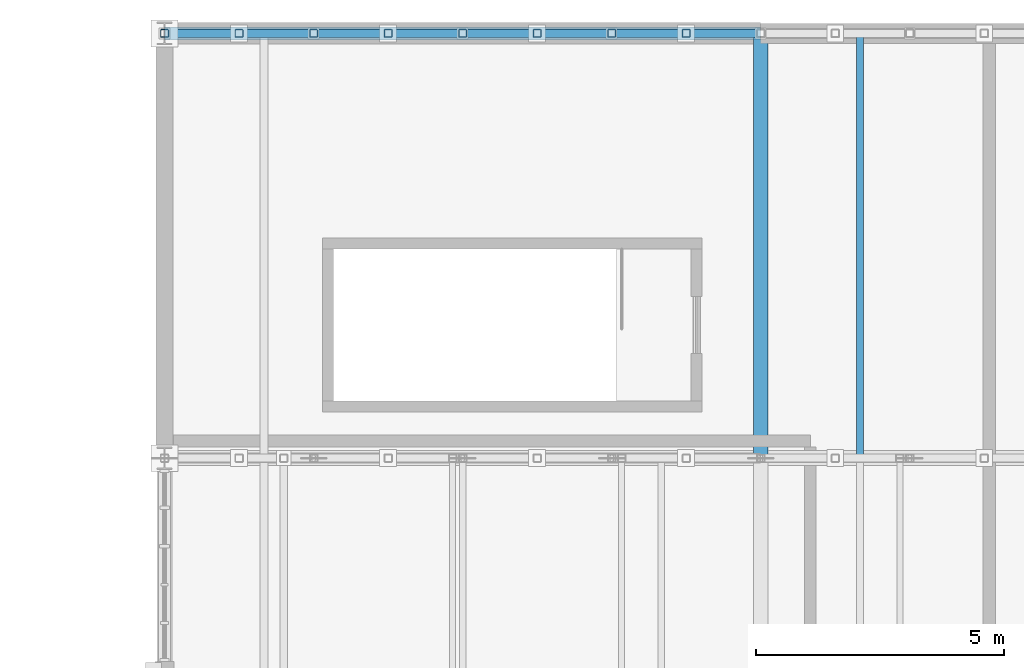
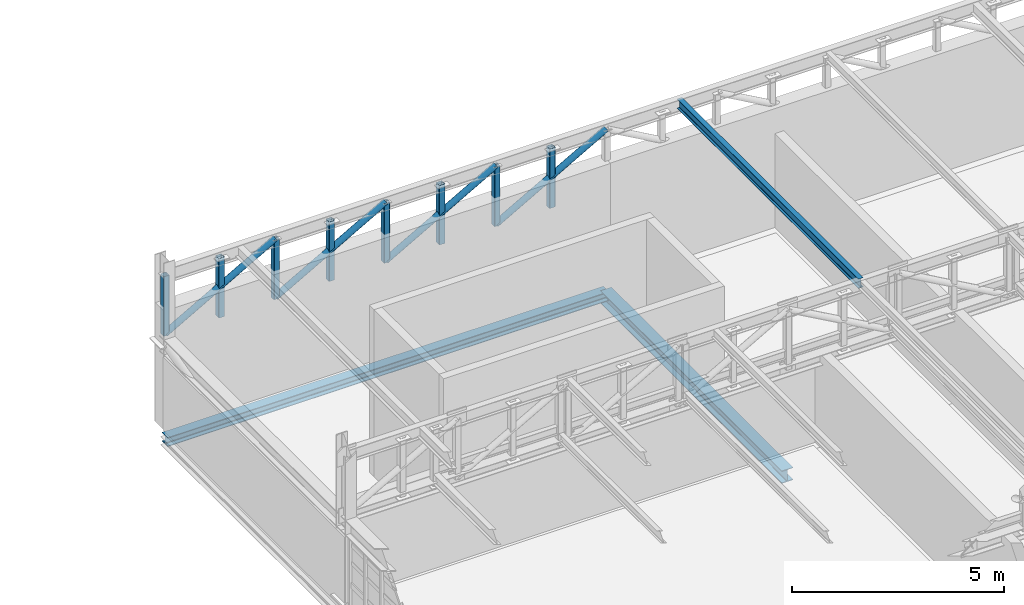
# One storey, part 56 of 128: 13 members, 2 beams.
"""IFC4 building model written with IfcOpenShell, lengths in metres."""

from ifc_helpers import new_model, si_unit, direction, frame, origin, origin_2d, place, context, subcontext, project, spatial, hollow_rectangle, hollow_circle, i_section, extrude, material, material_profile, profile_set, type_object, element, save


model = new_model("IFC4")

# Units and contexts
model_context = context("Model", 3, precision=1e-05, world=origin(), true_north=direction((0.0, 1.0)))
body_context = subcontext(model_context, "Body", "Model", "MODEL_VIEW")
ifc_project = project(units=[si_unit("LENGTHUNIT", "METRE"), si_unit("AREAUNIT", "SQUARE_METRE"), si_unit("VOLUMEUNIT", "CUBIC_METRE"), si_unit("PLANEANGLEUNIT", "RADIAN"), si_unit("MASSUNIT", "GRAM", prefix="KILO")], contexts=[model_context])

# Site, building, storey
site_placement = place(None, origin())
site = spatial("IfcSite", under=ifc_project, at=site_placement, CompositionType="ELEMENT")
building_placement = place(site_placement, origin())
building = spatial("IfcBuilding", under=site, at=building_placement, Name="Serraforn Aerial Cableway Station", CompositionType="ELEMENT")
storey_placement = place(building_placement, frame((0.0, 0.0, 9.0)))
storey = spatial("IfcBuildingStorey", under=building, at=storey_placement, Name="L02", CompositionType="ELEMENT", Elevation=9.0)

# Beams
ifc_material_1 = material(Name="Steel S355JR", Category="steel")
ifc_material_profile_1 = material_profile(ifc_material_1, i_section(OverallWidth=0.300048828125, OverallDepth=0.360107421875, WebThickness=0.010009765625, FlangeThickness=0.017578125, FilletRadius=0.027099609375, at=origin_2d()), Name="HEA 360")
ifc_profile_set_1 = profile_set([ifc_material_profile_1], Name="Steel S355JR")
beam_type_1 = type_object("IfcBeamType", Name="BM-ST-HEA360", PredefinedType="BEAM", material=ifc_profile_set_1)
beam_1_placement = place(storey_placement, frame((156.0, 105.449951171875, -0.5), z_axis=(0.0, 1.0, 0.0), x_axis=(-1.0, 0.0, 0.0)))
element("IfcBeam", 1, at=beam_1_placement, inside=storey, type_object=beam_type_1, Name="Grid Girder Y EG L02 X2-8", PredefinedType="BEAM", context=body_context, shape_type="SweptSolid", body=[
    extrude(i_section(OverallWidth=0.300048828125, OverallDepth=0.360107421875, WebThickness=0.010009765625, FlangeThickness=0.017578125, FilletRadius=0.027099609375, at=origin_2d()), origin(), (0.0, 0.0, 1.0), 8.550048828125),
])
ifc_material_2 = material(Name="Steel S355J2", Category="steel")
ifc_material_profile_2 = material_profile(ifc_material_2, i_section(OverallWidth=0.260009765625, OverallDepth=0.260009765625, WebThickness=0.010009765625, FlangeThickness=0.017578125, FilletRadius=0.02392578125, at=origin_2d()), Name="HEB 260")
ifc_profile_set_2 = profile_set([ifc_material_profile_2], Name="Steel S355J2")
beam_type_2 = type_object("IfcBeamType", Name="BM-ST-HEB260", PredefinedType="BEAM", material=ifc_profile_set_2)
beam_2_placement = place(storey_placement, frame((144.0, 114.0, -0.449951171875), z_axis=(1.0, 0.0, 0.0), x_axis=(0.0, 1.0, 0.0)))
element("IfcBeam", 2, at=beam_2_placement, inside=storey, type_object=beam_type_2, Name="Grid Girder X EG L02 Y9-1", PredefinedType="BEAM", context=body_context, shape_type="SweptSolid", body=[
    extrude(i_section(OverallWidth=0.260009765625, OverallDepth=0.260009765625, WebThickness=0.010009765625, FlangeThickness=0.017578125, FilletRadius=0.02392578125, at=origin_2d()), origin(), (0.0, 0.0, 1.0), 12.0),
])

# Members
ifc_material_profile_3 = material_profile(ifc_material_2, hollow_circle(Radius=0.084228515625, WallThickness=0.008056640625, at=origin_2d()), Name="CHS 168.3x8.0")
ifc_profile_set_3 = profile_set([ifc_material_profile_3], Name="Steel S355J2")
member_type_1 = type_object("IfcMemberType", Name="MEM-DG-CHS168", PredefinedType="BRACE", material=ifc_profile_set_3)
for number, where, z_axis, x_axis, name in (
    (3, (144.0, 114.0, 2.60009765625), (0.871272396707, 0.0, 0.490799766439), (0.0, 1.0, 0.0), "Garage Truss GT-12 Diagonal 1"),
    (4, (147.0, 114.0, 2.60009765625), (0.871272396707, 0.0, 0.490799766439), (0.0, 1.0, 0.0), "Garage Truss GT-12 Diagonal 2"),
    (5, (150.0, 114.0, 2.60009765625), (0.871272396707, 0.0, 0.490799766439), (0.0, 1.0, 0.0), "Garage Truss GT-12 Diagonal 3"),
    (6, (153.0, 114.0, 2.60009765625), (0.871272396707, 0.0, 0.490799766439), (0.0, 1.0, 0.0), "Garage Truss GT-12 Diagonal 4"),
):
    element("IfcMember", number, at=place(storey_placement, frame(where, z_axis=z_axis, x_axis=x_axis)), inside=storey, type_object=member_type_1, Name=name, PredefinedType="BRACE", context=body_context, shape_type="SweptSolid", body=[
        extrude(hollow_circle(Radius=0.084228515625, WallThickness=0.008056640625, at=origin_2d()), origin(), (0.0, 0.0, 1.0), 3.443359375),
    ])
ifc_material_profile_4 = material_profile(ifc_material_1, i_section(OverallWidth=0.135009765625, OverallDepth=0.27001953125, WebThickness=0.006591796875, FlangeThickness=0.01025390625, FilletRadius=0.014892578125, at=origin_2d()), Name="IPE 270")
ifc_profile_set_4 = profile_set([ifc_material_profile_4], Name="Steel S355JR")
member_type_2 = type_object("IfcMemberType", Name="MEM-PR-IPE270", PredefinedType="PURLIN", material=ifc_profile_set_4)
member_placement = place(storey_placement, frame((158.0, 105.449951171875, 4.3349609375), z_axis=(0.0, 1.0, 0.0), x_axis=(-1.0, 0.0, 0.0)))
element("IfcMember", 7, at=member_placement, inside=storey, type_object=member_type_2, Name="Fleet Garage Roof Purlin 8-4", PredefinedType="PURLIN", context=body_context, shape_type="SweptSolid", body=[
    extrude(i_section(OverallWidth=0.135009765625, OverallDepth=0.27001953125, WebThickness=0.006591796875, FlangeThickness=0.01025390625, FilletRadius=0.014892578125, at=origin_2d()), origin(), (0.0, 0.0, 1.0), 8.550048828125),
])
ifc_material_profile_5 = material_profile(ifc_material_2, hollow_rectangle(XDim=0.159912109375, YDim=0.159912109375, WallThickness=0.008056640625, InnerFilletRadius=0.008056640625, OuterFilletRadius=0.01611328125, at=origin_2d()), Name="SHS 160x160x8.0")
ifc_profile_set_5 = profile_set([ifc_material_profile_5], Name="Steel S355J2")
member_type_3 = type_object("IfcMemberType", Name="MEM-VP-SHS160", PredefinedType="STRUT", material=ifc_profile_set_5)
for number, where, z_axis, x_axis, name in (
    (8, (144.0, 114.0, 2.590087890625), (0.0, 0.0, 1.0), (1.0, 0.0, 0.0), "Garage Truss GT-12 Post 1"),
    (9, (147.0, 114.0, 2.590087890625), (0.0, 0.0, 1.0), (1.0, 0.0, 0.0), "Garage Truss GT-12 Post 2"),
    (10, (150.0, 114.0, 2.590087890625), (0.0, 0.0, 1.0), (1.0, 0.0, 0.0), "Garage Truss GT-12 Post 3"),
    (11, (153.0, 114.0, 2.590087890625), (0.0, 0.0, 1.0), (1.0, 0.0, 0.0), "Garage Truss GT-12 Post 4"),
    (12, (145.5, 114.0, 2.590087890625), (0.0, 0.0, 1.0), (1.0, 0.0, 0.0), "Garage Truss GT-12 Sub-Vertical 1"),
    (13, (148.5, 114.0, 2.590087890625), (0.0, 0.0, 1.0), (1.0, 0.0, 0.0), "Garage Truss GT-12 Sub-Vertical 2"),
    (14, (151.5, 114.0, 2.590087890625), (0.0, 0.0, 1.0), (1.0, 0.0, 0.0), "Garage Truss GT-12 Sub-Vertical 3"),
    (15, (154.5, 114.0, 2.590087890625), (0.0, 0.0, 1.0), (1.0, 0.0, 0.0), "Garage Truss GT-12 Sub-Vertical 4"),
):
    element("IfcMember", number, at=place(storey_placement, frame(where, z_axis=z_axis, x_axis=x_axis)), inside=storey, type_object=member_type_3, Name=name, PredefinedType="STRUT", context=body_context, shape_type="SweptSolid", body=[
        extrude(hollow_rectangle(XDim=0.159912109375, YDim=0.159912109375, WallThickness=0.008056640625, InnerFilletRadius=0.008056640625, OuterFilletRadius=0.01611328125, at=origin_2d()), origin(), (0.0, 0.0, 1.0), 1.7099609375),
    ])

save(model, "model.ifc")
